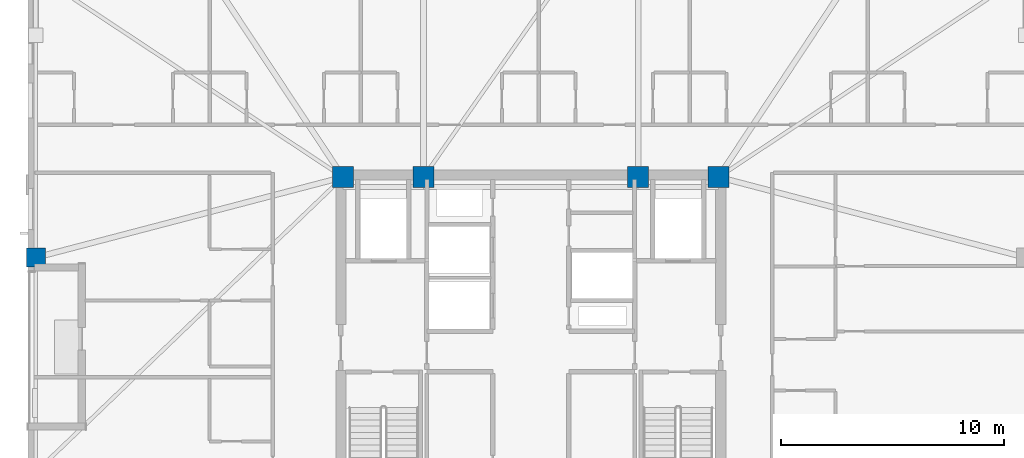
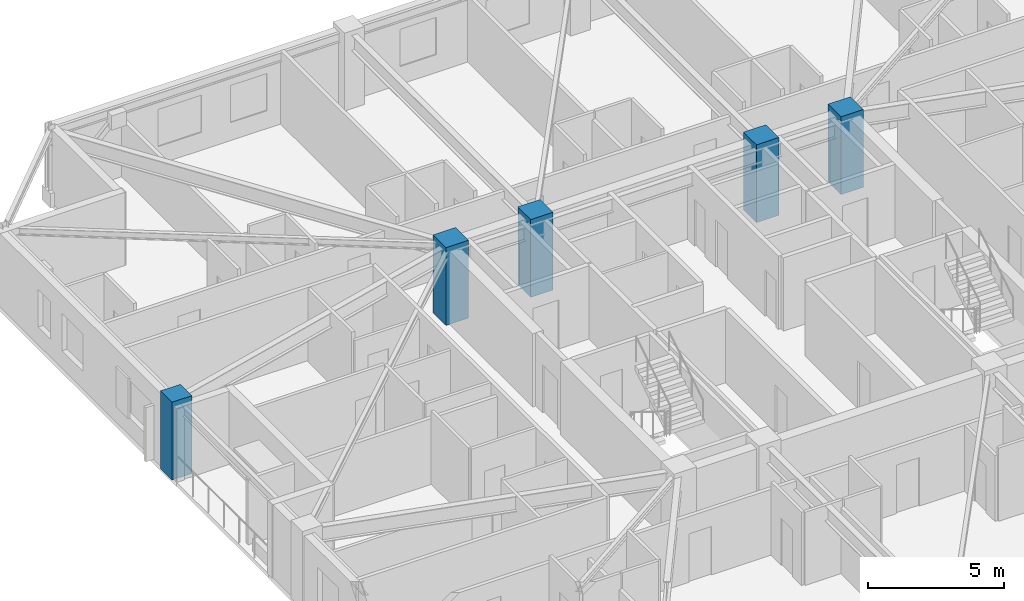
# One storey, part 2 of 17: 5 columns.
"""IFC4 building model written with IfcOpenShell, lengths in metres."""

from ifc_helpers import new_model, si_unit, direction, frame, origin, origin_2d, place, context, subcontext, project, spatial, rectangle, extrude, material, material_profile, profile_set, type_object, element, save


model = new_model("IFC4")

# Units and contexts
model_context = context("Model", 3, precision=1e-05, world=origin(), true_north=direction((0.0, 1.0)))
body_context = subcontext(model_context, "Body", "Model", "MODEL_VIEW")
ifc_project = project(units=[si_unit("LENGTHUNIT", "METRE"), si_unit("AREAUNIT", "SQUARE_METRE"), si_unit("VOLUMEUNIT", "CUBIC_METRE"), si_unit("PLANEANGLEUNIT", "RADIAN"), si_unit("MASSUNIT", "GRAM", prefix="KILO")], contexts=[model_context])

# Site, building, storey
site_placement = place(None, origin())
site = spatial("IfcSite", under=ifc_project, at=site_placement, CompositionType="ELEMENT")
building_placement = place(site_placement, origin())
building = spatial("IfcBuilding", under=site, at=building_placement, Name="Cairnveth Concourse Tower", CompositionType="ELEMENT")
storey_placement = place(building_placement, frame((0.0, 0.0, 244.5)))
storey = spatial("IfcBuildingStorey", under=building, at=storey_placement, Name="L67", CompositionType="ELEMENT", Elevation=244.5)

# Columns
ifc_material = material(Name="Concrete N65 (65 MPa)", Category="concrete")
ifc_material_profile_1 = material_profile(ifc_material, rectangle(XDim=0.949951171875, YDim=0.949951171875, at=origin_2d()), Name="RC-COL-950x950")
ifc_profile_set_1 = profile_set([ifc_material_profile_1], Name="Concrete N65 (65 MPa)")
column_type_1 = type_object("IfcColumnType", Name="CORE COLUMN 950X950", PredefinedType="COLUMN", material=ifc_profile_set_1)
for number, where, z_axis, x_axis, name in (
    (1, (43.60009765625, 47.39990234375, 0.0), (0.0, 0.0, 1.0), (1.0, 0.0, 0.0), "Column CC5 L67"),
    (2, (47.199951171875, 47.39990234375, 0.0), (0.0, 0.0, 1.0), (1.0, 0.0, 0.0), "Column CC6 L67"),
    (3, (56.800048828125, 47.39990234375, 0.0), (0.0, 0.0, 1.0), (1.0, 0.0, 0.0), "Column CC7 L67"),
    (4, (60.39990234375, 47.39990234375, 0.0), (0.0, 0.0, 1.0), (1.0, 0.0, 0.0), "Column CC8 L67"),
):
    element("IfcColumn", number, at=place(storey_placement, frame(where, z_axis=z_axis, x_axis=x_axis)), inside=storey, type_object=column_type_1, Name=name, PredefinedType="COLUMN", context=body_context, shape_type="SweptSolid", body=[
        extrude(rectangle(XDim=0.949951171875, YDim=0.949951171875, at=origin_2d()), origin(), (0.0, 0.0, 1.0), 3.5),
    ])
ifc_material_profile_2 = material_profile(ifc_material, rectangle(XDim=0.85009765625, YDim=0.85009765625, at=origin_2d()), Name="RC-COL-850x850")
ifc_profile_set_2 = profile_set([ifc_material_profile_2], Name="Concrete N65 (65 MPa)")
column_type_2 = type_object("IfcColumnType", Name="PERIMETER PIER COLUMN 850X850", PredefinedType="COLUMN", material=ifc_profile_set_2)
column_placement = place(storey_placement, frame((29.85009765625, 43.800048828125, 0.0), z_axis=(0.0, 0.0, 1.0), x_axis=(0.0, 1.0, 0.0)))
element("IfcColumn", 5, at=column_placement, inside=storey, type_object=column_type_2, Name="Column P-W2 L67", PredefinedType="COLUMN", context=body_context, shape_type="SweptSolid", body=[
    extrude(rectangle(XDim=0.85009765625, YDim=0.85009765625, at=origin_2d()), origin(), (0.0, 0.0, 1.0), 3.5),
])

save(model, "model.ifc")
